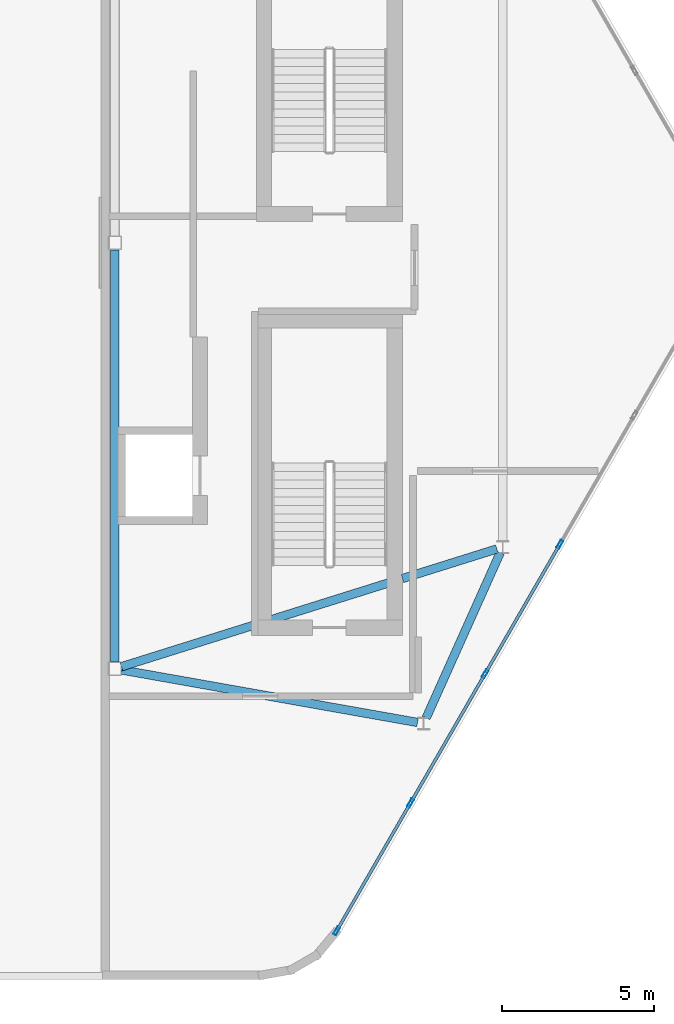
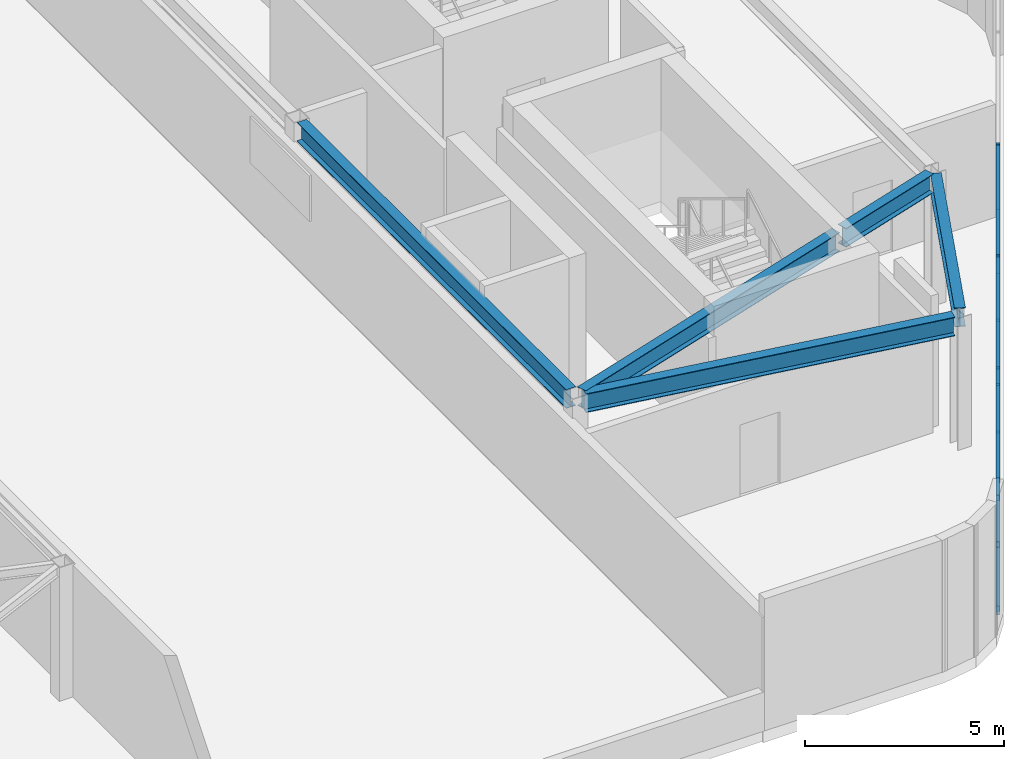
# One storey, part 6 of 14: 13 members, 5 beams, 1 element without a shape of its own.
"""IFC4 building model written with IfcOpenShell, lengths in metres."""

from ifc_helpers import new_model, si_unit, direction, frame, origin, origin_2d, place, context, subcontext, project, spatial, hollow_rectangle, i_section, extrude, material, material_profile, profile_set, type_object, element, aggregate, save


model = new_model("IFC4")

# Units and contexts
model_context = context("Model", 3, precision=1e-05, world=origin(), true_north=direction((0.0, 1.0)))
body_context = subcontext(model_context, "Body", "Model", "MODEL_VIEW")
ifc_project = project(units=[si_unit("LENGTHUNIT", "METRE"), si_unit("AREAUNIT", "SQUARE_METRE"), si_unit("VOLUMEUNIT", "CUBIC_METRE"), si_unit("PLANEANGLEUNIT", "RADIAN"), si_unit("MASSUNIT", "GRAM", prefix="KILO")], contexts=[model_context])

# Site, building, storey
site_placement = place(None, origin())
site = spatial("IfcSite", under=ifc_project, at=site_placement, CompositionType="ELEMENT")
building_placement = place(site_placement, origin())
building = spatial("IfcBuilding", under=site, at=building_placement, Name="Zuhravey Tower", CompositionType="ELEMENT")
storey_placement = place(building_placement, frame((0.0, 0.0, 379.0)))
storey = spatial("IfcBuildingStorey", under=building, at=storey_placement, Name="L96", CompositionType="ELEMENT", Elevation=379.0)

# Curtain wall, members
ifc_material_1 = material(Name="Thermally broken anodised aluminium", Category="aluminium")
curtain_wall_type = type_object("IfcCurtainWallType", Name="Split-Top Crown Screened Curtain Wall CW6", PredefinedType="NOTDEFINED", material=ifc_material_1)
curtain_wall_placement = place(storey_placement, origin())
curtain_wall = element("IfcCurtainWall", 1, at=curtain_wall_placement, inside=storey, type_object=curtain_wall_type, Name="L96 CW6 CW6-L96-EAST-08", PredefinedType="NOTDEFINED")
ifc_material_2 = material(Name="Anodised aluminium", Category="aluminium")
ifc_material_profile_1 = material_profile(ifc_material_2, hollow_rectangle(XDim=0.10009765625, YDim=0.2900390625, WallThickness=0.006103515625, at=origin_2d()), Name="ALU-RHS-100x290x6")
ifc_profile_set_1 = profile_set([ifc_material_profile_1], Name="Anodised aluminium")
member_type_1 = type_object("IfcMemberType", Name="Heavy Tall-Storey Mullion 100x220", PredefinedType="MULLION", material=ifc_profile_set_1)
member_1_placement = place(storey_placement, frame((58.0751953125, 22.087158203125, 0.0), z_axis=(0.0, 0.0, 1.0), x_axis=(0.866027063754, -0.499997124838, 0.0)))
member_1 = element("IfcMember", 2, at=member_1_placement, type_object=member_type_1, Name="CW6 mullion 3", PredefinedType="MULLION", context=body_context, shape_type="SweptSolid", body=[
    extrude(hollow_rectangle(XDim=0.10009765625, YDim=0.2900390625, WallThickness=0.006103515625, at=origin_2d()), origin(), (0.0, 0.0, 1.0), 4.050048828125),
])
member_2_placement = place(storey_placement, frame((55.622314453125, 17.838623046875, 0.0), z_axis=(0.0, 0.0, 1.0), x_axis=(0.866027063754, -0.499997124838, 0.0)))
member_2 = element("IfcMember", 3, at=member_2_placement, type_object=member_type_1, Name="CW6 mullion 4", PredefinedType="MULLION", context=body_context, shape_type="SweptSolid", body=[
    extrude(hollow_rectangle(XDim=0.10009765625, YDim=0.2900390625, WallThickness=0.006103515625, at=origin_2d()), origin(), (0.0, 0.0, 1.0), 4.050048828125),
])
member_3_placement = place(storey_placement, frame((53.16943359375, 13.590087890625, 0.0), z_axis=(0.0, 0.0, 1.0), x_axis=(0.866027063754, -0.499997124838, 0.0)))
member_3 = element("IfcMember", 4, at=member_3_placement, type_object=member_type_1, Name="CW6 mullion 5", PredefinedType="MULLION", context=body_context, shape_type="SweptSolid", body=[
    extrude(hollow_rectangle(XDim=0.10009765625, YDim=0.2900390625, WallThickness=0.006103515625, at=origin_2d()), origin(), (0.0, 0.0, 1.0), 4.050048828125),
])
member_4_placement = place(storey_placement, frame((50.741455078125, 9.384765625, 0.0), z_axis=(0.0, 0.0, 1.0), x_axis=(0.866027063754, -0.499997124838, 0.0)))
member_4 = element("IfcMember", 5, at=member_4_placement, type_object=member_type_1, Name="CW6 mullion 6", PredefinedType="MULLION", context=body_context, shape_type="SweptSolid", body=[
    extrude(hollow_rectangle(XDim=0.10009765625, YDim=0.2900390625, WallThickness=0.006103515625, at=origin_2d()), origin(), (0.0, 0.0, 1.0), 4.050048828125),
])

# Beams
ifc_material_3 = material(Name="Steel SM355", Category="steel")
ifc_material_profile_2 = material_profile(ifc_material_3, i_section(OverallWidth=0.280029296875, OverallDepth=0.580078125, WebThickness=0.011962890625, FlangeThickness=0.01904296875, at=origin_2d()), Name="H-580x280x12x19")
ifc_profile_set_2 = profile_set([ifc_material_profile_2], Name="Steel SM355")
beam_type = type_object("IfcBeamType", Name="Perimeter Ring Beam H580x280", PredefinedType="BEAM", material=ifc_profile_set_2)
beam_1_placement = place(storey_placement, frame((56.116455078125, 21.81396484375, 3.760009765625), z_axis=(-0.409053547057, -0.912510381113, 0.0), x_axis=(0.912510381113, -0.409053547057, 0.0)))
element("IfcBeam", 6, at=beam_1_placement, inside=storey, type_object=beam_type, Name="L96 PB4 BM-L96-ECR-0-2", PredefinedType="BEAM", context=body_context, shape_type="SweptSolid", body=[
    extrude(i_section(OverallWidth=0.280029296875, OverallDepth=0.580078125, WebThickness=0.011962890625, FlangeThickness=0.01904296875, at=origin_2d()), origin(), (0.0, 0.0, 1.0), 5.9482421875),
])
beam_2_placement = place(storey_placement, frame((53.399169921875, 16.235595703125, 3.760009765625), z_axis=(-0.984637117377, 0.174613135483, 0.0), x_axis=(-0.174613135483, -0.984637117377, 0.0)))
element("IfcBeam", 7, at=beam_2_placement, inside=storey, type_object=beam_type, Name="L96 PB4 BM-L96-ECR-2-4", PredefinedType="BEAM", context=body_context, shape_type="SweptSolid", body=[
    extrude(i_section(OverallWidth=0.280029296875, OverallDepth=0.580078125, WebThickness=0.011962890625, FlangeThickness=0.01904296875, at=origin_2d()), origin(), (0.0, 0.0, 1.0), 9.875244140625),
])
beam_3_placement = place(storey_placement, frame((43.449951171875, 18.22900390625, 3.760009765625), z_axis=(0.0, 1.0, 0.0), x_axis=(-1.0, 0.0, 0.0)))
element("IfcBeam", 8, at=beam_3_placement, inside=storey, type_object=beam_type, Name="L96 PB4 BM-L96-ECR-4-5", PredefinedType="BEAM", context=body_context, shape_type="SweptSolid", body=[
    extrude(i_section(OverallWidth=0.280029296875, OverallDepth=0.580078125, WebThickness=0.011962890625, FlangeThickness=0.01904296875, at=origin_2d()), origin(), (0.0, 0.0, 1.0), 13.5419921875),
])
beam_4_placement = place(storey_placement, frame((56.00537109375, 21.93896484375, 3.760009765625), z_axis=(-0.95415195588, -0.299322643799, 0.0), x_axis=(0.299322643799, -0.95415195588, 0.0)))
element("IfcBeam", 9, at=beam_4_placement, inside=storey, type_object=beam_type, Name="L96 PB4 BM-L96-ECR-0-4 (1)", PredefinedType="BEAM", context=body_context, shape_type="SweptSolid", body=[
    extrude(i_section(OverallWidth=0.280029296875, OverallDepth=0.580078125, WebThickness=0.011962890625, FlangeThickness=0.01904296875, at=origin_2d()), origin(), (0.0, 0.0, 1.0), 3.250244140625),
])
beam_5_placement = place(storey_placement, frame((52.680908203125, 20.89599609375, 3.760009765625), z_axis=(-0.954147790341, -0.299335921981, 0.0), x_axis=(0.299335921981, -0.954147790341, 0.0)))
element("IfcBeam", 10, at=beam_5_placement, inside=storey, type_object=beam_type, Name="L96 PB4 BM-L96-ECR-0-4 (2)", PredefinedType="BEAM", context=body_context, shape_type="SweptSolid", body=[
    extrude(i_section(OverallWidth=0.280029296875, OverallDepth=0.580078125, WebThickness=0.011962890625, FlangeThickness=0.01904296875, at=origin_2d()), origin(), (0.0, 0.0, 1.0), 9.445556640625),
])

# Member
ifc_material_profile_3 = material_profile(ifc_material_2, hollow_rectangle(XDim=0.10009765625, YDim=0.179931640625, WallThickness=0.006103515625, at=origin_2d()), Name="ALU-RHS-100x180x6")
ifc_profile_set_3 = profile_set([ifc_material_profile_3], Name="Anodised aluminium")
member_type_2 = type_object("IfcMemberType", Name="Tall-Storey Transom 100x180", PredefinedType="USERDEFINED", material=ifc_profile_set_3)
member_5_placement = place(storey_placement, frame((58.05029296875, 22.0439453125, 0.050048828125), z_axis=(-0.50003466983, -0.866005386223, 0.0), x_axis=(0.866005386223, -0.50003466983, 0.0)))
member_5 = element("IfcMember", 11, at=member_5_placement, type_object=member_type_2, Name="CW6 transom 3.1", ObjectType="TRANSOM", PredefinedType="USERDEFINED", context=body_context, shape_type="SweptSolid", body=[
    extrude(hollow_rectangle(XDim=0.10009765625, YDim=0.179931640625, WallThickness=0.006103515625, at=origin_2d()), origin(), (0.0, 0.0, 1.0), 4.805908203125),
])

member_6_placement = place(storey_placement, frame((58.05029296875, 22.0439453125, 2.02490234375), z_axis=(-0.50003466983, -0.866005386223, 0.0), x_axis=(0.866005386223, -0.50003466983, 0.0)))
member_6 = element("IfcMember", 12, at=member_6_placement, type_object=member_type_2, Name="CW6 transom 3.2", ObjectType="TRANSOM", PredefinedType="USERDEFINED", context=body_context, shape_type="SweptSolid", body=[
    extrude(hollow_rectangle(XDim=0.10009765625, YDim=0.179931640625, WallThickness=0.006103515625, at=origin_2d()), origin(), (0.0, 0.0, 1.0), 4.805908203125),
])

member_7_placement = place(storey_placement, frame((58.05029296875, 22.0439453125, 4.0), z_axis=(-0.50003466983, -0.866005386223, 0.0), x_axis=(0.866005386223, -0.50003466983, 0.0)))
member_7 = element("IfcMember", 13, at=member_7_placement, type_object=member_type_2, Name="CW6 transom 3.3", ObjectType="TRANSOM", PredefinedType="USERDEFINED", context=body_context, shape_type="SweptSolid", body=[
    extrude(hollow_rectangle(XDim=0.10009765625, YDim=0.179931640625, WallThickness=0.006103515625, at=origin_2d()), origin(), (0.0, 0.0, 1.0), 4.805908203125),
])

member_8_placement = place(storey_placement, frame((55.597412109375, 17.79541015625, 0.050048828125), z_axis=(-0.500012672123, -0.866018087407, 0.0), x_axis=(0.866018087407, -0.500012672123, 0.0)))
member_8 = element("IfcMember", 14, at=member_8_placement, type_object=member_type_2, Name="CW6 transom 4.1", ObjectType="TRANSOM", PredefinedType="USERDEFINED", context=body_context, shape_type="SweptSolid", body=[
    extrude(hollow_rectangle(XDim=0.10009765625, YDim=0.179931640625, WallThickness=0.006103515625, at=origin_2d()), origin(), (0.0, 0.0, 1.0), 4.80615234375),
])

member_9_placement = place(storey_placement, frame((55.597412109375, 17.79541015625, 2.02490234375), z_axis=(-0.500012672123, -0.866018087407, 0.0), x_axis=(0.866018087407, -0.500012672123, 0.0)))
member_9 = element("IfcMember", 15, at=member_9_placement, type_object=member_type_2, Name="CW6 transom 4.2", ObjectType="TRANSOM", PredefinedType="USERDEFINED", context=body_context, shape_type="SweptSolid", body=[
    extrude(hollow_rectangle(XDim=0.10009765625, YDim=0.179931640625, WallThickness=0.006103515625, at=origin_2d()), origin(), (0.0, 0.0, 1.0), 4.80615234375),
])

member_10_placement = place(storey_placement, frame((55.597412109375, 17.79541015625, 4.0), z_axis=(-0.500012672123, -0.866018087407, 0.0), x_axis=(0.866018087407, -0.500012672123, 0.0)))
member_10 = element("IfcMember", 16, at=member_10_placement, type_object=member_type_2, Name="CW6 transom 4.3", ObjectType="TRANSOM", PredefinedType="USERDEFINED", context=body_context, shape_type="SweptSolid", body=[
    extrude(hollow_rectangle(XDim=0.10009765625, YDim=0.179931640625, WallThickness=0.006103515625, at=origin_2d()), origin(), (0.0, 0.0, 1.0), 4.80615234375),
])

member_11_placement = place(storey_placement, frame((53.144287109375, 13.546875, 0.050048828125), z_axis=(-0.499965384433, -0.866045388169, 0.0), x_axis=(0.866045388169, -0.499965384433, 0.0)))
member_11 = element("IfcMember", 17, at=member_11_placement, type_object=member_type_2, Name="CW6 transom 5.1", ObjectType="TRANSOM", PredefinedType="USERDEFINED", context=body_context, shape_type="SweptSolid", body=[
    extrude(hollow_rectangle(XDim=0.10009765625, YDim=0.179931640625, WallThickness=0.006103515625, at=origin_2d()), origin(), (0.0, 0.0, 1.0), 4.755615234375),
])

member_12_placement = place(storey_placement, frame((53.144287109375, 13.546875, 2.02490234375), z_axis=(-0.499965384433, -0.866045388169, 0.0), x_axis=(0.866045388169, -0.499965384433, 0.0)))
member_12 = element("IfcMember", 18, at=member_12_placement, type_object=member_type_2, Name="CW6 transom 5.2", ObjectType="TRANSOM", PredefinedType="USERDEFINED", context=body_context, shape_type="SweptSolid", body=[
    extrude(hollow_rectangle(XDim=0.10009765625, YDim=0.179931640625, WallThickness=0.006103515625, at=origin_2d()), origin(), (0.0, 0.0, 1.0), 4.755615234375),
])

member_13_placement = place(storey_placement, frame((53.144287109375, 13.546875, 4.0), z_axis=(-0.499965384433, -0.866045388169, 0.0), x_axis=(0.866045388169, -0.499965384433, 0.0)))
member_13 = element("IfcMember", 19, at=member_13_placement, type_object=member_type_2, Name="CW6 transom 5.3", ObjectType="TRANSOM", PredefinedType="USERDEFINED", context=body_context, shape_type="SweptSolid", body=[
    extrude(hollow_rectangle(XDim=0.10009765625, YDim=0.179931640625, WallThickness=0.006103515625, at=origin_2d()), origin(), (0.0, 0.0, 1.0), 4.755615234375),
])

aggregate(curtain_wall, [member_1, member_2, member_3, member_4, member_5, member_6, member_7, member_8, member_9, member_10, member_11, member_12, member_13])

save(model, "model.ifc")
